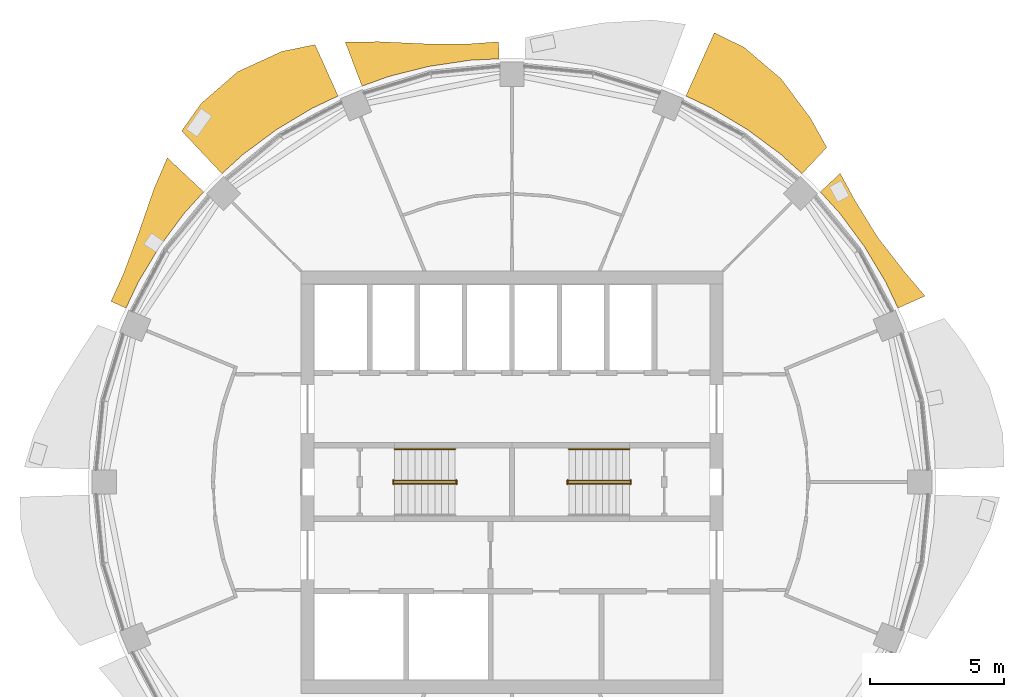
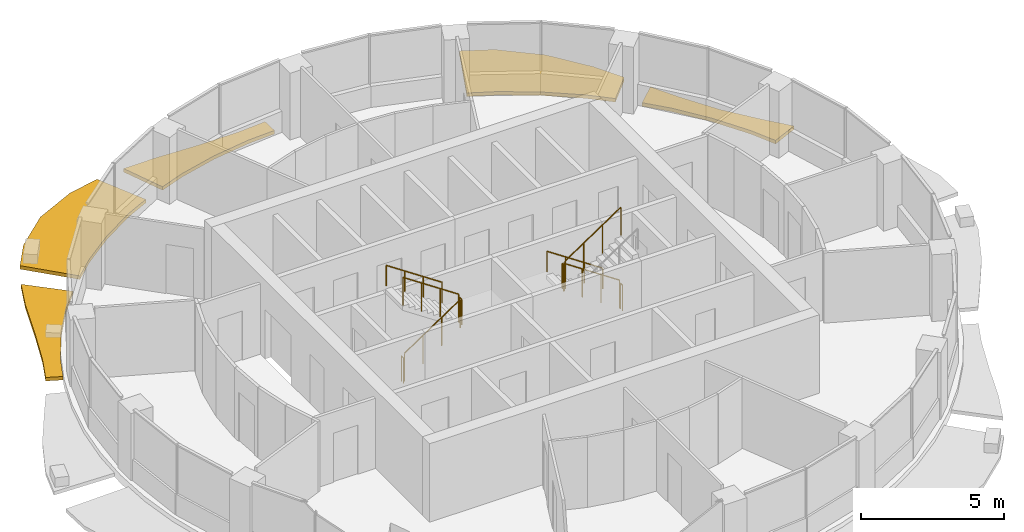
# One storey, part 12 of 14: 10 railings, 5 shading devices.
"""IFC4 building model written with IfcOpenShell, lengths in metres."""

from ifc_helpers import new_model, si_unit, direction, frame, origin, origin_2d, place, context, subcontext, project, spatial, polyline, circle, outline, extrude, material, type_object, element, save


model = new_model("IFC4")

# Units and contexts
model_context = context("Model", 3, precision=1e-05, world=origin(), true_north=direction((0.0, 1.0)))
body_context = subcontext(model_context, "Body", "Model", "MODEL_VIEW")
ifc_project = project(units=[si_unit("LENGTHUNIT", "METRE"), si_unit("AREAUNIT", "SQUARE_METRE"), si_unit("VOLUMEUNIT", "CUBIC_METRE"), si_unit("PLANEANGLEUNIT", "RADIAN"), si_unit("MASSUNIT", "GRAM", prefix="KILO")], contexts=[model_context])

# Site, building, storey
site_placement = place(None, origin())
site = spatial("IfcSite", under=ifc_project, at=site_placement, CompositionType="ELEMENT")
building_placement = place(site_placement, origin())
building = spatial("IfcBuilding", under=site, at=building_placement, Name="Polderwave Tower", CompositionType="ELEMENT")
storey_placement = place(building_placement, frame((0.0, 0.0, 221.14990234375)))
storey = spatial("IfcBuildingStorey", under=building, at=storey_placement, Name="L60", CompositionType="ELEMENT", Elevation=221.14990234375)

# Railings
ifc_material_1 = material(Name="Stainless steel", Category="steel")
railing_type_1 = type_object("IfcRailingType", Name="Stair guard 1100", PredefinedType="GUARDRAIL", material=ifc_material_1)
railing_1_placement = place(storey_placement, frame((-4.3740234375, -0.051025390625, 0.04736328125)))
element("IfcRailing", 1, at=railing_1_placement, inside=storey, type_object=railing_type_1, Name="L60 ST-A stair guard 1", PredefinedType="GUARDRAIL", context=body_context, shape_type="SweptSolid", body=[
    extrude(circle(Radius=0.02392578125, at=origin_2d()), frame((0.0, 0.0, 1.1962890625), z_axis=(0.830758306289, 0.0, 0.556633305266), x_axis=(0.0, 1.0, 0.0)), (0.0, 0.0, 1.0), 2.708251953125),
    extrude(circle(Radius=0.02392578125, at=origin_2d()), origin(), (0.0, 0.0, 1.0), 1.172119140625),
    extrude(circle(Radius=0.02392578125, at=origin_2d()), frame((0.75, 0.0, 0.50244140625)), (0.0, 0.0, 1.0), 1.172119140625),
    extrude(circle(Radius=0.02392578125, at=origin_2d()), frame((1.5, 0.0, 1.005126953125)), (0.0, 0.0, 1.0), 1.172119140625),
    extrude(circle(Radius=0.02392578125, at=origin_2d()), frame((2.25, 0.0, 1.507568359375)), (0.0, 0.0, 1.0), 1.172119140625),
])
railing_2_placement = place(storey_placement, frame((-2.073974609375, -0.074951171875, 1.675048828125)))
element("IfcRailing", 2, at=railing_2_placement, inside=storey, type_object=railing_type_1, Name="L60 ST-A stair guard 2", PredefinedType="GUARDRAIL", context=body_context, shape_type="SweptSolid", body=[
    extrude(circle(Radius=0.02392578125, at=origin_2d()), frame((0.0, 0.0, 1.076171875), z_axis=(0.0, 1.0, 0.0), x_axis=(-1.0, 0.0, 0.0)), (0.0, 0.0, 1.0), 0.14990234375),
    extrude(circle(Radius=0.02099609375, at=origin_2d()), origin(), (0.0, 0.0, 1.0), 1.052001953125),
    extrude(circle(Radius=0.02099609375, at=origin_2d()), frame((0.0, 0.14990234375, 0.0)), (0.0, 0.0, 1.0), 1.052001953125),
])
railing_3_placement = place(storey_placement, frame((-2.1240234375, 0.051025390625, 1.722412109375)))
element("IfcRailing", 3, at=railing_3_placement, inside=storey, type_object=railing_type_1, Name="L60 ST-A stair guard 3", PredefinedType="GUARDRAIL", context=body_context, shape_type="SweptSolid", body=[
    extrude(circle(Radius=0.02392578125, at=origin_2d()), frame((0.0, 0.0, 1.1962890625), z_axis=(-0.830758306289, 0.0, 0.556633305266), x_axis=(0.0, -1.0, 0.0)), (0.0, 0.0, 1.0), 2.708251953125),
    extrude(circle(Radius=0.02392578125, at=origin_2d()), origin(), (0.0, 0.0, 1.0), 1.172119140625),
    extrude(circle(Radius=0.02392578125, at=origin_2d()), frame((-0.75, 0.0, 0.50244140625)), (0.0, 0.0, 1.0), 1.172119140625),
    extrude(circle(Radius=0.02392578125, at=origin_2d()), frame((-1.5, 0.0, 1.005126953125)), (0.0, 0.0, 1.0), 1.172119140625),
    extrude(circle(Radius=0.02392578125, at=origin_2d()), frame((-2.25, 0.0, 1.507568359375)), (0.0, 0.0, 1.0), 1.172119140625),
])
railing_4_placement = place(storey_placement, frame((-4.424072265625, -0.074951171875, 0.0)))
element("IfcRailing", 4, at=railing_4_placement, inside=storey, type_object=railing_type_1, Name="L60 ST-A stair guard 4", PredefinedType="GUARDRAIL", context=body_context, shape_type="SweptSolid", body=[
    extrude(circle(Radius=0.02392578125, at=origin_2d()), frame((0.0, 0.0, 1.076171875), z_axis=(0.0, 1.0, 0.0), x_axis=(-1.0, 0.0, 0.0)), (0.0, 0.0, 1.0), 0.14990234375),
    extrude(circle(Radius=0.02099609375, at=origin_2d()), origin(), (0.0, 0.0, 1.0), 1.052001953125),
    extrude(circle(Radius=0.02099609375, at=origin_2d()), frame((0.0, 0.14990234375, 0.0)), (0.0, 0.0, 1.0), 1.052001953125),
])
railing_5_placement = place(storey_placement, frame((4.3740234375, 0.051025390625, 0.04736328125)))
element("IfcRailing", 5, at=railing_5_placement, inside=storey, type_object=railing_type_1, Name="L60 ST-B stair guard 1", PredefinedType="GUARDRAIL", context=body_context, shape_type="SweptSolid", body=[
    extrude(circle(Radius=0.02392578125, at=origin_2d()), frame((0.0, 0.0, 1.1962890625), z_axis=(-0.830758306289, 0.0, 0.556633305266), x_axis=(0.0, -1.0, 0.0)), (0.0, 0.0, 1.0), 2.708251953125),
    extrude(circle(Radius=0.02392578125, at=origin_2d()), origin(), (0.0, 0.0, 1.0), 1.172119140625),
    extrude(circle(Radius=0.02392578125, at=origin_2d()), frame((-0.75, 0.0, 0.50244140625)), (0.0, 0.0, 1.0), 1.172119140625),
    extrude(circle(Radius=0.02392578125, at=origin_2d()), frame((-1.5, 0.0, 1.005126953125)), (0.0, 0.0, 1.0), 1.172119140625),
    extrude(circle(Radius=0.02392578125, at=origin_2d()), frame((-2.25, 0.0, 1.507568359375)), (0.0, 0.0, 1.0), 1.172119140625),
])
railing_6_placement = place(storey_placement, frame((2.073974609375, 0.074951171875, 1.675048828125)))
element("IfcRailing", 6, at=railing_6_placement, inside=storey, type_object=railing_type_1, Name="L60 ST-B stair guard 2", PredefinedType="GUARDRAIL", context=body_context, shape_type="SweptSolid", body=[
    extrude(circle(Radius=0.02392578125, at=origin_2d()), frame((0.0, 0.0, 1.076171875), z_axis=(0.0, -1.0, 0.0), x_axis=(1.0, 0.0, 0.0)), (0.0, 0.0, 1.0), 0.14990234375),
    extrude(circle(Radius=0.02099609375, at=origin_2d()), origin(), (0.0, 0.0, 1.0), 1.052001953125),
    extrude(circle(Radius=0.02099609375, at=origin_2d()), frame((0.0, -0.14990234375, 0.0)), (0.0, 0.0, 1.0), 1.052001953125),
])
railing_7_placement = place(storey_placement, frame((2.1240234375, -0.051025390625, 1.722412109375)))
element("IfcRailing", 7, at=railing_7_placement, inside=storey, type_object=railing_type_1, Name="L60 ST-B stair guard 3", PredefinedType="GUARDRAIL", context=body_context, shape_type="SweptSolid", body=[
    extrude(circle(Radius=0.02392578125, at=origin_2d()), frame((0.0, 0.0, 1.1962890625), z_axis=(0.830758306289, 0.0, 0.556633305266), x_axis=(0.0, 1.0, 0.0)), (0.0, 0.0, 1.0), 2.708251953125),
    extrude(circle(Radius=0.02392578125, at=origin_2d()), origin(), (0.0, 0.0, 1.0), 1.172119140625),
    extrude(circle(Radius=0.02392578125, at=origin_2d()), frame((0.75, 0.0, 0.50244140625)), (0.0, 0.0, 1.0), 1.172119140625),
    extrude(circle(Radius=0.02392578125, at=origin_2d()), frame((1.5, 0.0, 1.005126953125)), (0.0, 0.0, 1.0), 1.172119140625),
    extrude(circle(Radius=0.02392578125, at=origin_2d()), frame((2.25, 0.0, 1.507568359375)), (0.0, 0.0, 1.0), 1.172119140625),
])
railing_8_placement = place(storey_placement, frame((4.424072265625, 0.074951171875, 0.0)))
element("IfcRailing", 8, at=railing_8_placement, inside=storey, type_object=railing_type_1, Name="L60 ST-B stair guard 4", PredefinedType="GUARDRAIL", context=body_context, shape_type="SweptSolid", body=[
    extrude(circle(Radius=0.02392578125, at=origin_2d()), frame((0.0, 0.0, 1.076171875), z_axis=(0.0, -1.0, 0.0), x_axis=(1.0, 0.0, 0.0)), (0.0, 0.0, 1.0), 0.14990234375),
    extrude(circle(Radius=0.02099609375, at=origin_2d()), origin(), (0.0, 0.0, 1.0), 1.052001953125),
    extrude(circle(Radius=0.02099609375, at=origin_2d()), frame((0.0, -0.14990234375, 0.0)), (0.0, 0.0, 1.0), 1.052001953125),
])
railing_type_2 = type_object("IfcRailingType", Name="Stair handrail 900", PredefinedType="HANDRAIL", material=ifc_material_1)
for number, where, name in (
    (9, (-2.1240234375, 1.22509765625, 1.842529296875), "L60 ST-A stair handrail 2"),
    (10, (4.3740234375, 1.22509765625, 0.16748046875), "L60 ST-B stair handrail 1"),
):
    element("IfcRailing", number, at=place(storey_placement, frame(where)), inside=storey, type_object=railing_type_2, Name=name, PredefinedType="HANDRAIL", context=body_context, shape_type="SweptSolid", body=[
        extrude(circle(Radius=0.02392578125, at=origin_2d()), frame((0.0, 0.0, 0.8759765625), z_axis=(-0.830758306289, 0.0, 0.556633305266), x_axis=(0.0, -1.0, 0.0)), (0.0, 0.0, 1.0), 2.708251953125),
        extrude(circle(Radius=0.02099609375, at=origin_2d()), origin(), (0.0, 0.0, 1.0), 0.851806640625),
        extrude(circle(Radius=0.02099609375, at=origin_2d()), frame((-0.75, 0.0, 0.50244140625)), (0.0, 0.0, 1.0), 0.851806640625),
        extrude(circle(Radius=0.02099609375, at=origin_2d()), frame((-1.5, 0.0, 1.005126953125)), (0.0, 0.0, 1.0), 0.851806640625),
        extrude(circle(Radius=0.02099609375, at=origin_2d()), frame((-2.25, 0.0, 1.507568359375)), (0.0, 0.0, 1.0), 0.851806640625),
    ])

# Shading devices
ifc_material_2 = material(Name="Terracotta", Category="masonry")
shading_device_type = type_object("IfcShadingDeviceType", Name="Terracotta sunshade band", PredefinedType="USERDEFINED", material=ifc_material_2)
shading_device_1_placement = place(storey_placement, frame((0.0, 0.0, -0.349853515625)))
element("IfcShadingDevice", 11, at=shading_device_1_placement, inside=storey, type_object=shading_device_type, Name="Sunshade band L60 2", ObjectType="SUNSHADE", PredefinedType="USERDEFINED", context=body_context, shape_type="SweptSolid", body=[
    extrude(outline(polyline([(14.391357421875, 6.48193359375), (13.934326171875, 7.447998046875), (13.13720703125, 8.778076171875), (12.213623046875, 10.0234375), (11.495849609375, 10.815185546875), (12.23291015625, 11.508544921875), (12.785888671875, 10.492919921875), (13.63720703125, 9.112060546875), (14.63916015625, 7.82470703125), (15.39501953125, 6.93408203125), (14.391357421875, 6.48193359375)])), origin(), (0.0, 0.0, 1.0), 0.14990234375),
])
shading_device_2_placement = place(storey_placement, frame((0.0, 0.0, -0.349853515625)))
element("IfcShadingDevice", 12, at=shading_device_2_placement, inside=storey, type_object=shading_device_type, Name="Sunshade band L60 3", ObjectType="SUNSHADE", PredefinedType="USERDEFINED", context=body_context, shape_type="SweptSolid", body=[
    extrude(outline(polyline([(10.815185546875, 11.495849609375), (10.0234375, 12.213623046875), (8.778076171875, 13.13720703125), (7.447998046875, 13.934326171875), (6.48193359375, 14.391357421875), (7.544921875, 16.750732421875), (8.6591796875, 16.2001953125), (10.038330078125, 15.0234375), (11.129150390625, 13.560791015625), (11.733642578125, 12.47216796875), (10.815185546875, 11.495849609375)])), origin(), (0.0, 0.0, 1.0), 0.14990234375),
])
shading_device_3_placement = place(storey_placement, frame((0.0, 0.0, -0.349853515625)))
element("IfcShadingDevice", 13, at=shading_device_3_placement, inside=storey, type_object=shading_device_type, Name="Sunshade band L60 5", ObjectType="SUNSHADE", PredefinedType="USERDEFINED", context=body_context, shape_type="SweptSolid", body=[
    extrude(outline(polyline([(-0.481201171875, 15.7763671875), (-1.548583984375, 15.723876953125), (-3.08251953125, 15.496337890625), (-4.58642578125, 15.11962890625), (-5.5927734375, 14.759521484375), (-6.21484375, 16.40185546875), (-4.979248046875, 16.41455078125), (-3.24951171875, 16.33642578125), (-1.6083984375, 16.331298828125), (-0.500732421875, 16.410400390625), (-0.481201171875, 15.7763671875)])), origin(), (0.0, 0.0, 1.0), 0.14990234375),
])
shading_device_4_placement = place(storey_placement, frame((0.0, 0.0, -0.349853515625)))
element("IfcShadingDevice", 14, at=shading_device_4_placement, inside=storey, type_object=shading_device_type, Name="Sunshade band L60 6", ObjectType="SUNSHADE", PredefinedType="USERDEFINED", context=body_context, shape_type="SweptSolid", body=[
    extrude(outline(polyline([(-6.48193359375, 14.391357421875), (-7.447998046875, 13.934326171875), (-8.778076171875, 13.13720703125), (-10.0234375, 12.213623046875), (-10.815185546875, 11.495849609375), (-12.314453125, 13.089599609375), (-11.583740234375, 14.114990234375), (-10.2216796875, 15.2978515625), (-8.579833984375, 16.0517578125), (-7.343994140625, 16.305419921875), (-6.48193359375, 14.391357421875)])), origin(), (0.0, 0.0, 1.0), 0.14990234375),
])
shading_device_5_placement = place(storey_placement, frame((0.0, 0.0, -0.349853515625)))
element("IfcShadingDevice", 15, at=shading_device_5_placement, inside=storey, type_object=shading_device_type, Name="Sunshade band L60 7", ObjectType="SUNSHADE", PredefinedType="USERDEFINED", context=body_context, shape_type="SweptSolid", body=[
    extrude(outline(polyline([(-11.495849609375, 10.815185546875), (-12.213623046875, 10.0234375), (-13.13720703125, 8.778076171875), (-13.934326171875, 7.447998046875), (-14.391357421875, 6.48193359375), (-14.949462890625, 6.7333984375), (-14.49072265625, 7.74560546875), (-13.91162109375, 9.29541015625), (-13.33984375, 10.94775390625), (-12.850341796875, 12.089599609375), (-11.495849609375, 10.815185546875)])), origin(), (0.0, 0.0, 1.0), 0.14990234375),
])

save(model, "model.ifc")
